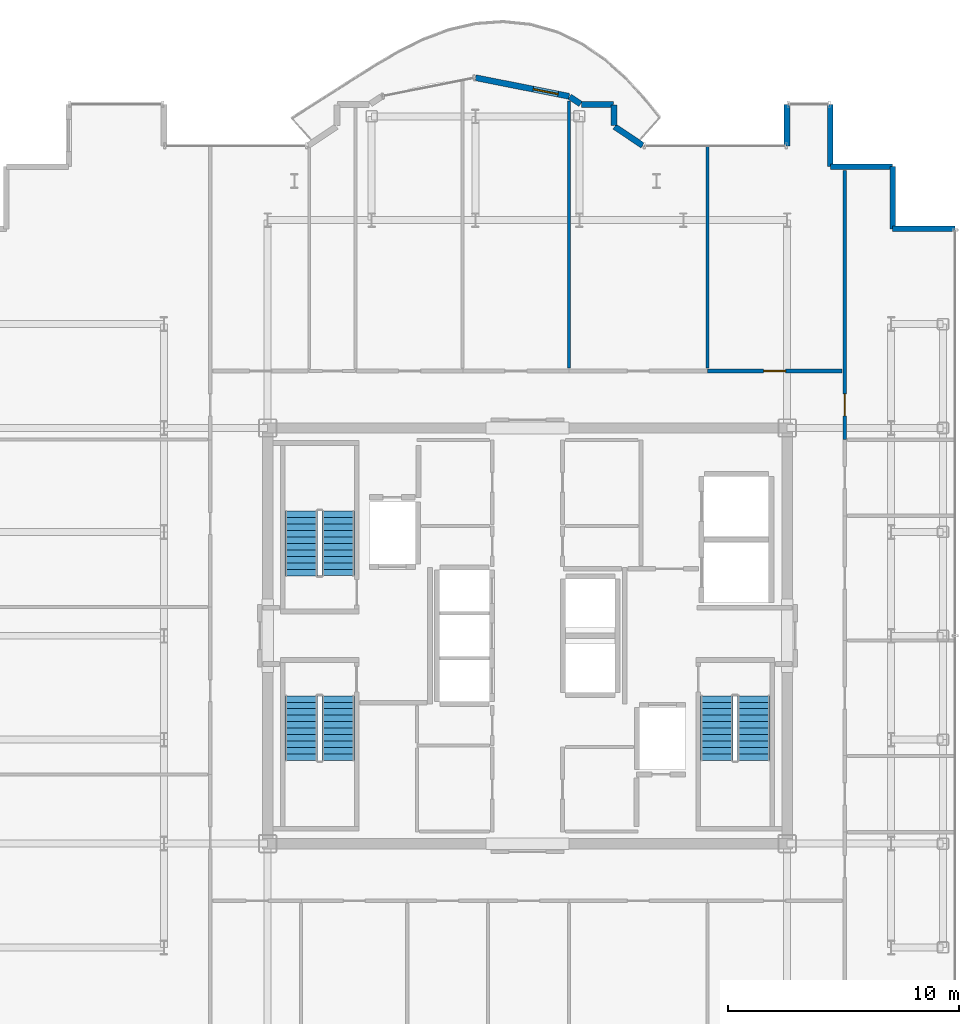
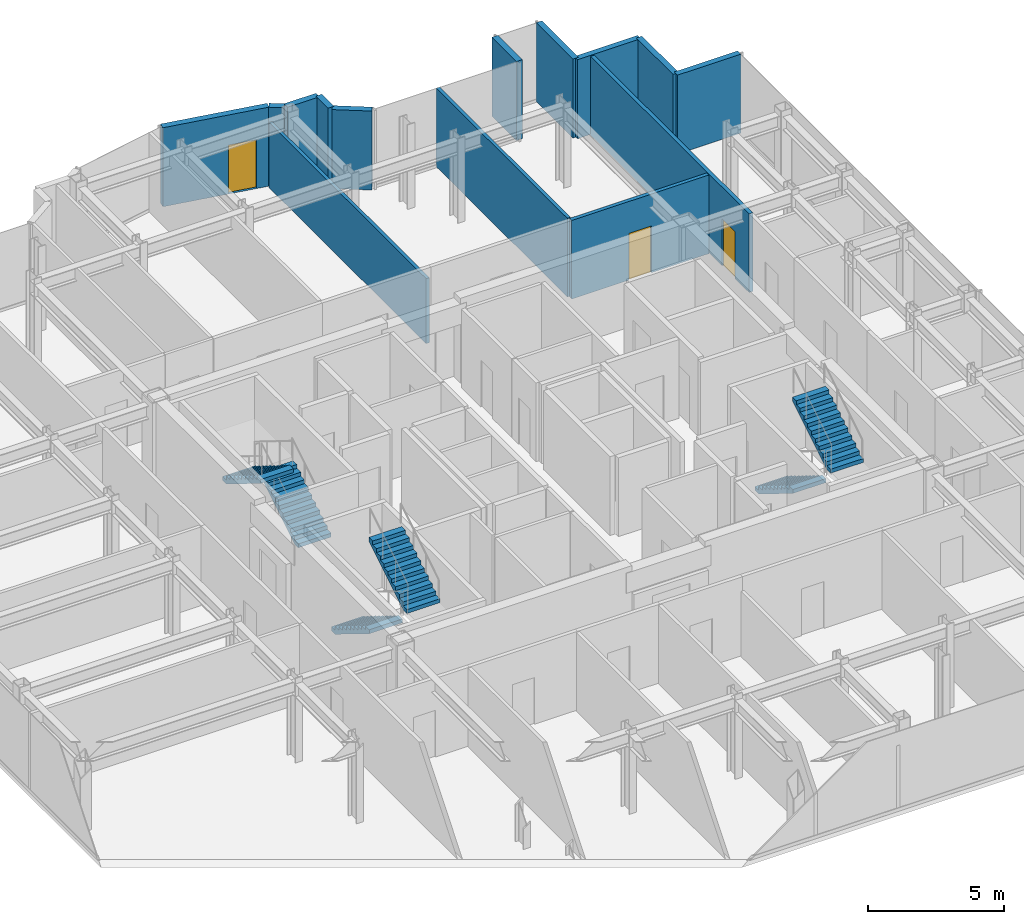
# One storey, part 17 of 18: 14 walls, 6 stair flights, 3 doors, 3 openings, 3 elements without a shape of their own.
"""IFC4 building model written with IfcOpenShell, lengths in metres."""

import ifcopenshell
import ifcopenshell.guid

model = None  # the IFC model being written
_history = None  # IfcOwnerHistory: only IFC2X3 demands one
_inside = {}  # id of a spatial element -> (the spatial element, [elements in it])
_under = {}  # id of a project, library or spatial element -> (it, [spatial elements below it])
_declared = {}  # id of a project -> (the project, [libraries it declares])
_typed = {}  # id of a type object -> (the type object, [elements of that type])
_made_of = {}  # id of a material, layer set ... -> (it, [elements and type objects made of it])


def new_model(schema):
    """Start an empty IFC model of exactly this schema.

    Asked for "IFC4X3", IfcOpenShell would pick the latest addendum, in which some entities
    have other attributes; the version numbers below select the first issue.
    IFC2X3 requires an IfcOwnerHistory on every rooted entity: one is made here for all.
    """
    global model, _history
    if schema == "IFC4X3":
        model = ifcopenshell.file(schema_version=(4, 3, 0, 0))
    else:
        model = ifcopenshell.file(schema=schema)
    _inside.clear()
    _under.clear()
    _declared.clear()
    _typed.clear()
    _made_of.clear()
    _history = None
    if model.schema == "IFC2X3":
        org = make("IfcOrganization", Name="unknown")
        user = make(
            "IfcPersonAndOrganization",
            ThePerson=make("IfcPerson", FamilyName="unknown"),
            TheOrganization=org,
        )
        app = make(
            "IfcApplication",
            ApplicationDeveloper=org,
            Version="unknown",
            ApplicationFullName="unknown",
            ApplicationIdentifier="unknown",
        )
        _history = make(
            "IfcOwnerHistory",
            OwningUser=user,
            OwningApplication=app,
            ChangeAction="ADDED",
            CreationDate=0,
        )
    return model


def make(cls, **values):
    """One entity of the class cls with the attributes given. An attribute that is None is left unset."""
    return model.create_entity(
        cls, **{name: value for name, value in values.items() if value is not None}
    )


def rooted(cls, **values):
    """An entity with a GlobalId (a new one), such as an element, a storey or a relation."""
    return make(cls, GlobalId=ifcopenshell.guid.new(), OwnerHistory=_history, **values)


def si_unit(unit_type, name, prefix=None):
    """IfcSIUnit, for example si_unit("LENGTHUNIT", "METRE", prefix="MILLI")."""
    return make("IfcSIUnit", UnitType=unit_type, Prefix=prefix, Name=name)


def assignment(units):
    """IfcUnitAssignment: the units of a project."""
    return None if units is None else make("IfcUnitAssignment", Units=units)


def point(xyz):
    """IfcCartesianPoint."""
    return None if xyz is None else make("IfcCartesianPoint", Coordinates=xyz)


def direction(xyz):
    """IfcDirection."""
    return None if xyz is None else make("IfcDirection", DirectionRatios=xyz)


def frame(location, z_axis=None, x_axis=None):
    """IfcAxis2Placement3D, a coordinate frame: its origin and axes. An axis left out is left unset."""
    return make(
        "IfcAxis2Placement3D",
        Location=point(location),
        Axis=direction(z_axis),
        RefDirection=direction(x_axis),
    )


def frame_2d(location, x_axis=None):
    """IfcAxis2Placement2D, a coordinate frame in the plane: its origin and x axis."""
    return make(
        "IfcAxis2Placement2D", Location=point(location), RefDirection=direction(x_axis)
    )


def origin():
    """The frame at (0, 0, 0) with its axes left unset."""
    return frame((0.0, 0.0, 0.0))


def place(relative_to, where):
    """IfcLocalPlacement: puts the frame where relative to a parent placement (None: the world)."""
    return make(
        "IfcLocalPlacement", PlacementRelTo=relative_to, RelativePlacement=where
    )


def context(
    kind, dimensions, precision=None, world=None, true_north=None, identifier=None
):
    """IfcGeometricRepresentationContext, for example the 3D "Model" context."""
    return make(
        "IfcGeometricRepresentationContext",
        ContextIdentifier=identifier,
        ContextType=kind,
        CoordinateSpaceDimension=dimensions,
        Precision=precision,
        WorldCoordinateSystem=world,
        TrueNorth=true_north,
    )


def subcontext(parent, identifier, kind, view, scale=None):
    """IfcGeometricRepresentationSubContext, for example "Body" below "Model"."""
    return make(
        "IfcGeometricRepresentationSubContext",
        ContextIdentifier=identifier,
        ContextType=kind,
        ParentContext=parent,
        TargetScale=scale,
        TargetView=view,
    )


def project(units=None, contexts=None):
    """IfcProject with its units and contexts."""
    return rooted(
        "IfcProject",
        Name="project",
        RepresentationContexts=contexts,
        UnitsInContext=assignment(units),
    )


def spatial(cls, under=None, at=None, **own):
    """A site, building, storey or space (cls), placed at a placement, below another one or the project."""
    s = rooted(cls, ObjectPlacement=at, **own)
    if under is not None:
        _under.setdefault(under.id(), (under, []))[1].append(s)
    return s


def polyline(points):
    """IfcPolyline through the points."""
    return make("IfcPolyline", Points=[point(p) for p in points])


def profile(cls, at=None, kind="AREA", **sizes):
    """A parametric profile (cls). Its sizes go by their IFC names, for example OverallWidth=200.0."""
    return make(cls, ProfileType=kind, Position=at, **sizes)


def rectangle(**sizes):
    """IfcRectangleProfileDef."""
    return profile("IfcRectangleProfileDef", **sizes)


def outline(outer, holes=None, kind="AREA"):
    """IfcArbitraryClosedProfileDef: a profile drawn as a closed curve; with holes, ...WithVoids."""
    if holes is None:
        return make("IfcArbitraryClosedProfileDef", ProfileType=kind, OuterCurve=outer)
    return make(
        "IfcArbitraryProfileDefWithVoids",
        ProfileType=kind,
        OuterCurve=outer,
        InnerCurves=holes,
    )


def extrude(swept, where, along, depth):
    """IfcExtrudedAreaSolid: the profile swept, set in the frame where, extruded along a direction by depth."""
    return make(
        "IfcExtrudedAreaSolid",
        SweptArea=swept,
        Position=where,
        ExtrudedDirection=direction(along),
        Depth=depth,
    )


def shape(context_of_items, identifier, shape_type, items):
    """IfcShapeRepresentation: the items that make up one representation, for example the "Body"."""
    return make(
        "IfcShapeRepresentation",
        ContextOfItems=context_of_items,
        RepresentationIdentifier=identifier,
        RepresentationType=shape_type,
        Items=items,
    )


def source(mapping_origin, context_of_items, identifier, shape_type, items):
    """IfcRepresentationMap: a shape defined once, which mapped items show again and again."""
    return make(
        "IfcRepresentationMap",
        MappingOrigin=mapping_origin,
        MappedRepresentation=shape(context_of_items, identifier, shape_type, items),
    )


def transform(
    local_origin,
    x_axis=None,
    y_axis=None,
    z_axis=None,
    scale=None,
    scale2=None,
    scale3=None,
    uniform=True,
):
    """IfcCartesianTransformationOperator3D, or its non-uniform kind. x_axis, y_axis, z_axis: its Axis1, 2, 3."""
    if uniform:
        return make(
            "IfcCartesianTransformationOperator3D",
            Axis1=direction(x_axis),
            Axis2=direction(y_axis),
            LocalOrigin=point(local_origin),
            Scale=scale,
            Axis3=direction(z_axis),
        )
    return make(
        "IfcCartesianTransformationOperator3DnonUniform",
        Axis1=direction(x_axis),
        Axis2=direction(y_axis),
        LocalOrigin=point(local_origin),
        Scale=scale,
        Axis3=direction(z_axis),
        Scale2=scale2,
        Scale3=scale3,
    )


def mapped(mapping_source, mapping_target):
    """IfcMappedItem: shows the shape of a source again, moved by a transform."""
    return make(
        "IfcMappedItem", MappingSource=mapping_source, MappingTarget=mapping_target
    )


def material(Name=None, Category=None):
    """IfcMaterial."""
    return make("IfcMaterial", Name=Name, Category=Category)


def layer(
    of_material, thickness, ventilated=None, Name=None, Category=None, Priority=None
):
    """IfcMaterialLayer: one layer of a wall or slab, of a material (None: an air gap)."""
    return make(
        "IfcMaterialLayer",
        Material=of_material,
        LayerThickness=thickness,
        IsVentilated=ventilated,
        Name=Name,
        Category=Category,
        Priority=Priority,
    )


def layer_set(layers, Name=None):
    """IfcMaterialLayerSet."""
    return make("IfcMaterialLayerSet", MaterialLayers=layers, LayerSetName=Name)


def made_of(thing, what):
    """Note that an element or type object is made of a material, layer set ...; save() writes the relation."""
    if what is not None:
        _made_of.setdefault(what.id(), (what, []))[1].append(thing)
    return thing


def type_object(cls, material=None, **own):
    """A type object (cls), such as IfcWallType, which elements share."""
    return made_of(rooted(cls, **own), material)


def element(
    cls,
    number,
    at=None,
    inside=None,
    cuts=None,
    type_object=None,
    material=None,
    context=None,
    identifier="Body",
    shape_type=None,
    held_by="IfcProductDefinitionShape",
    body=None,
    shapes=None,
    **own,
):
    """One element of the class cls, such as IfcWall. Its Tag is "e" and its number.

    at: its placement. inside: the storey or other place that contains it. cuts: it is an
    opening in that element (IfcRelVoidsElement). A single representation is given by context,
    identifier, shape_type and body (its items); several are given by shapes. held_by: the class
    of the entity that holds the representations. save() writes the other relations.
    """
    e = rooted(cls, Tag="e%d" % number, ObjectPlacement=at, **own)
    if body is not None:
        shapes = [shape(context, identifier, shape_type, body)]
    if shapes is not None:
        e.Representation = make(held_by, Representations=shapes)
    if inside is not None:
        _inside.setdefault(inside.id(), (inside, []))[1].append(e)
    if cuts is not None:
        rooted(
            "IfcRelVoidsElement", RelatingBuildingElement=cuts, RelatedOpeningElement=e
        )
    if type_object is not None:
        _typed.setdefault(type_object.id(), (type_object, []))[1].append(e)
    return made_of(e, material)


def fill(opening, filler):
    """IfcRelFillsElement: the door or window that sits in an opening."""
    return rooted(
        "IfcRelFillsElement",
        RelatingOpeningElement=opening,
        RelatedBuildingElement=filler,
    )


def aggregate(whole, parts):
    """IfcRelAggregates: a whole, such as a stair, and the parts it consists of."""
    return rooted("IfcRelAggregates", RelatingObject=whole, RelatedObjects=parts)


def save(model, path):
    """Write the relations noted so far, then the file.

    IfcRelAggregates (storeys below a building ...), IfcRelContainedInSpatialStructure (elements
    in a storey), IfcRelDefinesByType, IfcRelAssociatesMaterial and IfcRelDeclares: one each for
    every whole, place, type object, material and project.
    """
    for whole, parts in _under.values():
        aggregate(whole, parts)
    for where, things in _inside.values():
        rooted(
            "IfcRelContainedInSpatialStructure",
            RelatedElements=things,
            RelatingStructure=where,
        )
    for kind, things in _typed.values():
        rooted("IfcRelDefinesByType", RelatedObjects=things, RelatingType=kind)
    for what, things in _made_of.values():
        rooted("IfcRelAssociatesMaterial", RelatedObjects=things, RelatingMaterial=what)
    for by, libraries in _declared.values():
        rooted("IfcRelDeclares", RelatingContext=by, RelatedDefinitions=libraries)
    model.write(path)


model = new_model("IFC4")

# Units and contexts
model_context = context("Model", 3, precision=1e-05, world=origin(), true_north=direction((0.0, 1.0)))
body_context = subcontext(model_context, "Body", "Model", "MODEL_VIEW")
ifc_project = project(units=[si_unit("LENGTHUNIT", "METRE"), si_unit("AREAUNIT", "SQUARE_METRE"), si_unit("VOLUMEUNIT", "CUBIC_METRE"), si_unit("PLANEANGLEUNIT", "RADIAN"), si_unit("MASSUNIT", "GRAM", prefix="KILO")], contexts=[model_context])

# Site, building, storey
site_placement = place(None, origin())
site = spatial("IfcSite", under=ifc_project, at=site_placement, CompositionType="ELEMENT")
building_placement = place(site_placement, origin())
building = spatial("IfcBuilding", under=site, at=building_placement, Name="Nefas-Gora Pilgrimage Tower", CompositionType="ELEMENT")
storey_placement = place(building_placement, frame((0.0, 0.0, 295.0)))
storey = spatial("IfcBuildingStorey", under=building, at=storey_placement, Name="L74", CompositionType="ELEMENT", Elevation=295.0)

# Walls
ifc_material_1 = material(Name="Precast concrete C40/50", Category="concrete")
ifc_layer_1 = layer(ifc_material_1, 0.260009765625)
ifc_layer_set_1 = layer_set([ifc_layer_1], Name="Precast concrete C40/50")
wall_type_1 = type_object("IfcWallType", Name="EW-PORTAL-260", PredefinedType="SOLIDWALL", material=ifc_layer_set_1)
shared_shape_1 = source(origin(), body_context, "Body", "SweptSolid", [
    extrude(rectangle(XDim=1.800048828125, YDim=0.260009765625, at=frame_2d((0.89990234375, 0.0))), origin(), (0.0, 0.0, 1.0), 3.550048828125),
])
wall_1_placement = place(storey_placement, frame((11.25, 23.02001953125, 0.0), z_axis=(0.0, 0.0, 1.0), x_axis=(0.0, -1.0, 0.0)))
element("IfcWall", 1, at=wall_1_placement, inside=storey, type_object=wall_type_1, Name="L74 Lobe Shoulder Precast Spandrel Pier 6", PredefinedType="SOLIDWALL", context=body_context, shape_type="MappedRepresentation", body=[
    mapped(shared_shape_1, transform((0.0, 0.0, 0.0), x_axis=(1.0, 0.0, 0.0), y_axis=(0.0, 1.0, 0.0), z_axis=(0.0, 0.0, 1.0), scale=1.0)),
])
ifc_material_2 = material(Name="Precast concrete C45/55", Category="concrete")
ifc_layer_2 = layer(ifc_material_2, 0.239990234375)
ifc_layer_set_2 = layer_set([ifc_layer_2], Name="Precast concrete C45/55")
wall_type_2 = type_object("IfcWallType", Name="EW-SERR-240", PredefinedType="SHEAR", material=ifc_layer_set_2)
shared_shape_2 = source(origin(), body_context, "Body", "SweptSolid", [
    extrude(rectangle(XDim=2.699951171875, YDim=0.239990234375, at=frame_2d((1.35009765625, 0.0))), origin(), (0.0, 0.0, 1.0), 3.550048828125),
])
for number, where, z_axis, x_axis, name in (
    (2, (18.52001953125, 17.6201171875, 0.0), (0.0, 0.0, 1.0), (-1.0, 0.0, 0.0), "L74 Serrated Corner Shear Pier Wall 2"),
    (3, (15.820068359375, 17.6201171875, 0.0), (0.0, 0.0, 1.0), (0.0, 1.0, 0.0), "L74 Serrated Corner Shear Pier Wall 3"),
    (4, (15.820068359375, 20.320068359375, 0.0), (0.0, 0.0, 1.0), (-1.0, 0.0, 0.0), "L74 Serrated Corner Shear Pier Wall 4"),
    (5, (13.1201171875, 20.320068359375, 0.0), (0.0, 0.0, 1.0), (0.0, 1.0, 0.0), "L74 Serrated Corner Shear Pier Wall 5"),
):
    element("IfcWall", number, at=place(storey_placement, frame(where, z_axis=z_axis, x_axis=x_axis)), inside=storey, type_object=wall_type_2, Name=name, PredefinedType="SHEAR", context=body_context, shape_type="MappedRepresentation", body=[
        mapped(shared_shape_2, transform((0.0, 0.0, 0.0), x_axis=(1.0, 0.0, 0.0), y_axis=(0.0, 1.0, 0.0), z_axis=(0.0, 0.0, 1.0), scale=1.0)),
    ])
shared_shape_3 = source(origin(), body_context, "Body", "SweptSolid", [
    extrude(rectangle(XDim=1.468994140625, YDim=0.260009765625, at=frame_2d((0.734375, 0.0))), origin(), (0.0, 0.0, 1.0), 3.550048828125),
])
wall_2_placement = place(storey_placement, frame((4.99462890625, 21.235595703125, 0.0), z_axis=(0.0, 0.0, 1.0), x_axis=(-0.831461760506, 0.555581983884, 0.0)))
element("IfcWall", 6, at=wall_2_placement, inside=storey, type_object=wall_type_1, Name="L74 Lobe Shoulder Precast Spandrel Pier 7", PredefinedType="SOLIDWALL", context=body_context, shape_type="MappedRepresentation", body=[
    mapped(shared_shape_3, transform((0.0, 0.0, 0.0), x_axis=(1.0, 0.0, 0.0), y_axis=(0.0, 1.0, 0.0), z_axis=(0.0, 0.0, 1.0), scale=1.0)),
])
shared_shape_4 = source(origin(), body_context, "Body", "SweptSolid", [
    extrude(rectangle(XDim=0.896728515625, YDim=0.260009765625, at=frame_2d((0.4482421875, 0.0))), origin(), (0.0, 0.0, 1.0), 3.550048828125),
])
wall_3_placement = place(storey_placement, frame((3.75, 22.09521484375, 0.0), z_axis=(0.0, 0.0, 1.0), x_axis=(0.0, 1.0, 0.0)))
element("IfcWall", 7, at=wall_3_placement, inside=storey, type_object=wall_type_1, Name="L74 Lobe Shoulder Precast Spandrel Pier 8", PredefinedType="SOLIDWALL", context=body_context, shape_type="MappedRepresentation", body=[
    mapped(shared_shape_4, transform((0.0, 0.0, 0.0), x_axis=(1.0, 0.0, 0.0), y_axis=(0.0, 1.0, 0.0), z_axis=(0.0, 0.0, 1.0), scale=1.0)),
])
shared_shape_5 = source(origin(), body_context, "Body", "SweptSolid", [
    extrude(rectangle(XDim=1.369873046875, YDim=0.260009765625, at=frame_2d((0.68505859375, 0.0))), origin(), (0.0, 0.0, 1.0), 3.550048828125),
])
wall_4_placement = place(storey_placement, frame((3.721923828125, 23.02001953125, 0.0), z_axis=(0.0, 0.0, 1.0), x_axis=(-1.0, 0.0, 0.0)))
element("IfcWall", 8, at=wall_4_placement, inside=storey, type_object=wall_type_1, Name="L74 Lobe Shoulder Precast Spandrel Pier 9", PredefinedType="SOLIDWALL", context=body_context, shape_type="MappedRepresentation", body=[
    mapped(shared_shape_5, transform((0.0, 0.0, 0.0), x_axis=(1.0, 0.0, 0.0), y_axis=(0.0, 1.0, 0.0), z_axis=(0.0, 0.0, 1.0), scale=1.0)),
])
shared_shape_6 = source(origin(), body_context, "Body", "SweptSolid", [
    extrude(rectangle(XDim=0.5654296875, YDim=0.260009765625, at=frame_2d((0.28271484375, 0.0))), origin(), (0.0, 0.0, 1.0), 3.550048828125),
])
wall_5_placement = place(storey_placement, frame((2.30078125, 23.03564453125, 0.0), z_axis=(0.0, 0.0, 1.0), x_axis=(-0.831651492666, 0.555297933317, 0.0)))
element("IfcWall", 9, at=wall_5_placement, inside=storey, type_object=wall_type_1, Name="L74 Lobe Shoulder Precast Spandrel Pier 10", PredefinedType="SOLIDWALL", context=body_context, shape_type="MappedRepresentation", body=[
    mapped(shared_shape_6, transform((0.0, 0.0, 0.0), x_axis=(1.0, 0.0, 0.0), y_axis=(0.0, 1.0, 0.0), z_axis=(0.0, 0.0, 1.0), scale=1.0)),
])

# Wall, opening, door
shared_shape_7 = source(origin(), body_context, "Body", "SweptSolid", [
    extrude(rectangle(XDim=4.136962890625, YDim=0.260009765625, at=frame_2d((2.068359375, 0.0))), origin(), (0.0, 0.0, 1.0), 3.550048828125),
])
wall_6_placement = place(storey_placement, frame((1.807373046875, 23.365234375, 0.0), z_axis=(0.0, 0.0, 1.0), x_axis=(-0.980782170794, 0.195105954428, 0.0)))
wall_6 = element("IfcWall", 10, at=wall_6_placement, inside=storey, type_object=wall_type_1, Name="L74 Insulated Terrace Portal Wall 11", PredefinedType="SOLIDWALL", context=body_context, shape_type="MappedRepresentation", body=[
    mapped(shared_shape_7, transform((0.0, 0.0, 0.0), x_axis=(1.0, 0.0, 0.0), y_axis=(0.0, 1.0, 0.0), z_axis=(0.0, 0.0, 1.0), scale=1.0)),
])
opening_1_placement = place(wall_6_placement, frame((0.48779296875, 0.0, 0.0)))
opening_1 = element("IfcOpeningElement", 11, at=opening_1_placement, cuts=wall_6, Name="Opening ED-B1", PredefinedType="OPENING", context=body_context, shape_type="SweptSolid", body=[
    extrude(rectangle(XDim=1.10009765625, YDim=2.199951171875, at=frame_2d((0.550048828125, 1.10009765625))), frame((0.0, 0.139892578125, 0.0), z_axis=(0.0, -1.0, 0.0), x_axis=(1.0, 0.0, 0.0)), (0.0, 0.0, 1.0), 0.280029296875),
])
ifc_material_3 = material(Name="Thermally broken glazed aluminium balcony door", Category="aluminium")
door_type_1 = type_object("IfcDoorType", Name="DR-EXT-BAL-1100", OperationType="NOTDEFINED", PredefinedType="DOOR", material=ifc_material_3)
shared_shape_8 = source(origin(), body_context, "Body", "SweptSolid", [
    extrude(rectangle(XDim=1.10009765625, YDim=2.199951171875, at=frame_2d((0.550048828125, 1.10009765625))), frame((0.0, 0.02490234375, 0.0), z_axis=(0.0, -1.0, 0.0), x_axis=(1.0, 0.0, 0.0)), (0.0, 0.0, 1.0), 0.050048828125),
])
door_1_placement = place(opening_1_placement, origin())
door_1 = element("IfcDoor", 12, at=door_1_placement, inside=storey, type_object=door_type_1, Name="L74 Exterior Door (L74 N Lobe Wave Balcony)", OperationType="SINGLE_SWING_LEFT", OverallHeight=2.199951171875, OverallWidth=1.10009765625, PredefinedType="DOOR", context=body_context, shape_type="MappedRepresentation", body=[
    mapped(shared_shape_8, transform((0.0, 0.0, 0.0), x_axis=(1.0, 0.0, 0.0), y_axis=(0.0, 1.0, 0.0), z_axis=(0.0, 0.0, 1.0), scale=1.0)),
])
fill(opening_1, door_1)

# Wall
ifc_material_4 = material(Name="Gypsum twin-stud partition")
ifc_layer_3 = layer(ifc_material_4, 0.139892578125)
ifc_layer_set_3 = layer_set([ifc_layer_3], Name="Gypsum twin-stud partition")
wall_type_3 = type_object("IfcWallType", Name="IW-UNIT-140", PredefinedType="PARTITIONING", material=ifc_layer_set_3)
shared_shape_9 = source(origin(), body_context, "Body", "SweptSolid", [
    extrude(rectangle(XDim=9.64990234375, YDim=0.139892578125, at=frame_2d((4.824951171875, 0.0))), origin(), (0.0, 0.0, 1.0), 3.534912109375),
])
wall_7_placement = place(storey_placement, frame((7.794921875, 11.590087890625, 0.0), z_axis=(0.0, 0.0, 1.0), x_axis=(0.0, 1.0, 0.0)))
element("IfcWall", 13, at=wall_7_placement, inside=storey, type_object=wall_type_3, Name="L74 Pilgrim Contemplative Lounge Partition Wall 63", PredefinedType="PARTITIONING", context=body_context, shape_type="MappedRepresentation", body=[
    mapped(shared_shape_9, transform((0.0, 0.0, 0.0), x_axis=(1.0, 0.0, 0.0), y_axis=(0.0, 1.0, 0.0), z_axis=(0.0, 0.0, 1.0), scale=1.0)),
])

# Wall, opening, door
ifc_material_5 = material(Name="Gypsum acoustic stud partition")
ifc_layer_4 = layer(ifc_material_5, 0.159912109375)
ifc_layer_set_4 = layer_set([ifc_layer_4], Name="Gypsum acoustic stud partition")
wall_type_4 = type_object("IfcWallType", Name="IW-CORR-160", PredefinedType="PARTITIONING", material=ifc_layer_set_4)
shared_shape_10 = source(origin(), body_context, "Body", "SweptSolid", [
    extrude(rectangle(XDim=5.8251953125, YDim=0.159912109375, at=frame_2d((2.91259765625, 0.0))), origin(), (0.0, 0.0, 1.0), 3.534912109375),
])
wall_8_placement = place(storey_placement, frame((7.794921875, 11.469970703125, 0.0), z_axis=(0.0, 0.0, 1.0), x_axis=(1.0, 0.0, 0.0)))
wall_8 = element("IfcWall", 14, at=wall_8_placement, inside=storey, type_object=wall_type_4, Name="L74 Pilgrim Contemplative Lounge Partition Wall 64", PredefinedType="PARTITIONING", context=body_context, shape_type="MappedRepresentation", body=[
    mapped(shared_shape_10, transform((0.0, 0.0, 0.0), x_axis=(1.0, 0.0, 0.0), y_axis=(0.0, 1.0, 0.0), z_axis=(0.0, 0.0, 1.0), scale=1.0)),
])
opening_2_placement = place(wall_8_placement, frame((2.4375, 0.0, 0.0)))
opening_2 = element("IfcOpeningElement", 15, at=opening_2_placement, cuts=wall_8, Name="Opening ID-GR1", PredefinedType="OPENING", context=body_context, shape_type="SweptSolid", body=[
    extrude(rectangle(XDim=0.949951171875, YDim=2.10009765625, at=frame_2d((0.47509765625, 1.050048828125))), frame((0.0, 0.08984375, 0.0), z_axis=(0.0, -1.0, 0.0), x_axis=(1.0, 0.0, 0.0)), (0.0, 0.0, 1.0), 0.179931640625),
])
ifc_material_6 = material(Name="Solid core oak fire-rated guest entrance door")
door_type_2 = type_object("IfcDoorType", Name="DR-INT-GUEST-950", OperationType="NOTDEFINED", PredefinedType="DOOR", material=ifc_material_6)
shared_shape_11 = source(origin(), body_context, "Body", "SweptSolid", [
    extrude(rectangle(XDim=0.949951171875, YDim=2.10009765625, at=frame_2d((0.47509765625, 1.050048828125))), frame((0.0, 0.02490234375, 0.0), z_axis=(0.0, -1.0, 0.0), x_axis=(1.0, 0.0, 0.0)), (0.0, 0.0, 1.0), 0.050048828125),
])
door_2_placement = place(opening_2_placement, origin())
door_2 = element("IfcDoor", 16, at=door_2_placement, inside=storey, type_object=door_type_2, Name="L74 Pilgrim Contemplative Lounge Door 30", OperationType="SINGLE_SWING_RIGHT", OverallHeight=2.10009765625, OverallWidth=0.949951171875, PredefinedType="DOOR", context=body_context, shape_type="MappedRepresentation", body=[
    mapped(shared_shape_11, transform((0.0, 0.0, 0.0), x_axis=(1.0, 0.0, 0.0), y_axis=(0.0, 1.0, 0.0), z_axis=(0.0, 0.0, 1.0), scale=1.0)),
])
fill(opening_2, door_2)

shared_shape_12 = source(origin(), body_context, "Body", "SweptSolid", [
    extrude(rectangle(XDim=11.664794921875, YDim=0.159912109375, at=frame_2d((5.83251953125, 0.0))), origin(), (0.0, 0.0, 1.0), 3.534912109375),
])
wall_9_placement = place(storey_placement, frame((13.739990234375, 8.4951171875, 0.0), z_axis=(0.0, 0.0, 1.0), x_axis=(0.0, 1.0, 0.0)))
wall_9 = element("IfcWall", 17, at=wall_9_placement, inside=storey, type_object=wall_type_4, Name="L74 Pilgrim Contemplative Lounge Partition Wall 56", PredefinedType="PARTITIONING", context=body_context, shape_type="MappedRepresentation", body=[
    mapped(shared_shape_12, transform((0.0, 0.0, 0.0), x_axis=(1.0, 0.0, 0.0), y_axis=(0.0, 1.0, 0.0), z_axis=(0.0, 0.0, 1.0), scale=1.0)),
])
opening_3_placement = place(wall_9_placement, frame((1.032470703125, 0.0, 0.0)))
opening_3 = element("IfcOpeningElement", 18, at=opening_3_placement, cuts=wall_9, Name="Opening ID-GR1", PredefinedType="OPENING", context=body_context, shape_type="SweptSolid", body=[
    extrude(rectangle(XDim=0.949951171875, YDim=2.10009765625, at=frame_2d((0.47509765625, 1.050048828125))), frame((0.0, 0.08984375, 0.0), z_axis=(0.0, -1.0, 0.0), x_axis=(1.0, 0.0, 0.0)), (0.0, 0.0, 1.0), 0.179931640625),
])
door_3_placement = place(opening_3_placement, origin())
door_3 = element("IfcDoor", 19, at=door_3_placement, inside=storey, type_object=door_type_2, Name="L74 Pilgrim Contemplative Lounge Door 25", OperationType="SINGLE_SWING_LEFT", OverallHeight=2.10009765625, OverallWidth=0.949951171875, PredefinedType="DOOR", context=body_context, shape_type="MappedRepresentation", body=[
    mapped(shared_shape_11, transform((0.0, 0.0, 0.0), x_axis=(1.0, 0.0, 0.0), y_axis=(0.0, 1.0, 0.0), z_axis=(0.0, 0.0, 1.0), scale=1.0)),
])
fill(opening_3, door_3)

# Wall
shared_shape_13 = source(origin(), body_context, "Body", "SweptSolid", [
    extrude(rectangle(XDim=11.581298828125, YDim=0.139892578125, at=frame_2d((5.79052734375, 0.0))), origin(), (0.0, 0.0, 1.0), 2.925048828125),
])
wall_10_placement = place(storey_placement, frame((1.794921875, 11.590087890625, 0.0), z_axis=(0.0, 0.0, 1.0), x_axis=(0.0, 1.0, 0.0)))
element("IfcWall", 20, at=wall_10_placement, inside=storey, type_object=wall_type_3, Name="L74 Pilgrim Contemplative Lounge Partition Wall 61", PredefinedType="PARTITIONING", context=body_context, shape_type="MappedRepresentation", body=[
    mapped(shared_shape_13, transform((0.0, 0.0, 0.0), x_axis=(1.0, 0.0, 0.0), y_axis=(0.0, 1.0, 0.0), z_axis=(0.0, 0.0, 1.0), scale=1.0)),
])

# Stair, stair flights
ifc_material_7 = material(Name="Concrete C45/55", Category="concrete")
stair_type = type_object("IfcStairType", Name="STR-1400-R1727", PredefinedType="HALF_TURN_STAIR", material=ifc_material_7)
stair_1_placement = place(storey_placement, origin())
stair_1 = element("IfcStair", 21, at=stair_1_placement, inside=storey, type_object=stair_type, Name="L74 Pressurised Tower Exit Stair ST-01", PredefinedType="HALF_TURN_STAIR")
stair_flight_type = type_object("IfcStairFlightType", Name="STF-1400-R1727", PredefinedType="STRAIGHT", material=ifc_material_7)
shared_shape_14 = source(origin(), body_context, "Body", "SweptSolid", [
    extrude(outline(polyline([(0.0, 0.0), (0.0, 0.172607421875), (0.280029296875, 0.172607421875), (0.280029296875, 0.345458984375), (0.56005859375, 0.345458984375), (0.56005859375, 0.51806640625), (0.840087890625, 0.51806640625), (0.840087890625, 0.69091796875), (1.1201171875, 0.69091796875), (1.1201171875, 0.863525390625), (1.39990234375, 0.863525390625), (1.39990234375, 1.036376953125), (1.679931640625, 1.036376953125), (1.679931640625, 1.208984375), (1.9599609375, 1.208984375), (1.9599609375, 1.3818359375), (2.239990234375, 1.3818359375), (2.239990234375, 1.554443359375), (2.52001953125, 1.554443359375), (2.52001953125, 1.727294921875), (2.800048828125, 1.727294921875), (2.800048828125, 1.89990234375), (2.800048828125, 1.551025390625), (0.285400390625, 0.0), (0.0, 0.0)])), frame((0.0, 0.699951171875, 0.0), z_axis=(0.0, -1.0, 0.0), x_axis=(1.0, 0.0, 0.0)), (0.0, 0.0, 1.0), 1.39990234375),
])
stair_flight_1_placement = place(storey_placement, frame((-8.199951171875, 2.60009765625, 0.0), z_axis=(0.0, 0.0, 1.0), x_axis=(0.0, 1.0, 0.0)))
stair_flight_1 = element("IfcStairFlight", 22, at=stair_flight_1_placement, type_object=stair_flight_type, Name="ST-01 flight 1", NumberOfRisers=11, NumberOfTreads=10, PredefinedType="STRAIGHT", RiserHeight=0.172727273, TreadLength=0.28, context=body_context, shape_type="MappedRepresentation", body=[
    mapped(shared_shape_14, transform((0.0, 0.0, 0.0), x_axis=(1.0, 0.0, 0.0), y_axis=(0.0, 1.0, 0.0), z_axis=(0.0, 0.0, 1.0), scale=1.0)),
])
stair_flight_2_placement = place(storey_placement, frame((-9.800048828125, 5.39990234375, 1.89990234375), z_axis=(0.0, 0.0, 1.0), x_axis=(0.0, -1.0, 0.0)))
stair_flight_2 = element("IfcStairFlight", 23, at=stair_flight_2_placement, type_object=stair_flight_type, Name="ST-01 flight 2", NumberOfRisers=11, NumberOfTreads=10, PredefinedType="STRAIGHT", RiserHeight=0.172727273, TreadLength=0.28, context=body_context, shape_type="MappedRepresentation", body=[
    mapped(shared_shape_14, transform((0.0, 0.0, 0.0), x_axis=(1.0, 0.0, 0.0), y_axis=(0.0, 1.0, 0.0), z_axis=(0.0, 0.0, 1.0), scale=1.0)),
])
aggregate(stair_1, [stair_flight_1, stair_flight_2])

stair_2_placement = place(storey_placement, origin())
stair_2 = element("IfcStair", 24, at=stair_2_placement, inside=storey, type_object=stair_type, Name="L74 Pressurised Tower Exit Stair ST-02", PredefinedType="HALF_TURN_STAIR")
stair_flight_3_placement = place(storey_placement, frame((8.199951171875, -2.60009765625, 0.0), z_axis=(0.0, 0.0, 1.0), x_axis=(0.0, -1.0, 0.0)))
stair_flight_3 = element("IfcStairFlight", 25, at=stair_flight_3_placement, type_object=stair_flight_type, Name="ST-02 flight 1", NumberOfRisers=11, NumberOfTreads=10, PredefinedType="STRAIGHT", RiserHeight=0.172727273, TreadLength=0.28, context=body_context, shape_type="MappedRepresentation", body=[
    mapped(shared_shape_14, transform((0.0, 0.0, 0.0), x_axis=(1.0, 0.0, 0.0), y_axis=(0.0, 1.0, 0.0), z_axis=(0.0, 0.0, 1.0), scale=1.0)),
])
stair_flight_4_placement = place(storey_placement, frame((9.800048828125, -5.39990234375, 1.89990234375), z_axis=(0.0, 0.0, 1.0), x_axis=(0.0, 1.0, 0.0)))
stair_flight_4 = element("IfcStairFlight", 26, at=stair_flight_4_placement, type_object=stair_flight_type, Name="ST-02 flight 2", NumberOfRisers=11, NumberOfTreads=10, PredefinedType="STRAIGHT", RiserHeight=0.172727273, TreadLength=0.28, context=body_context, shape_type="MappedRepresentation", body=[
    mapped(shared_shape_14, transform((0.0, 0.0, 0.0), x_axis=(1.0, 0.0, 0.0), y_axis=(0.0, 1.0, 0.0), z_axis=(0.0, 0.0, 1.0), scale=1.0)),
])
aggregate(stair_2, [stair_flight_3, stair_flight_4])

stair_3_placement = place(storey_placement, origin())
stair_3 = element("IfcStair", 27, at=stair_3_placement, inside=storey, type_object=stair_type, Name="L74 Pressurised Tower Exit Stair ST-03", PredefinedType="HALF_TURN_STAIR")
stair_flight_5_placement = place(storey_placement, frame((-9.800048828125, -2.60009765625, 0.0), z_axis=(0.0, 0.0, 1.0), x_axis=(0.0, -1.0, 0.0)))
stair_flight_5 = element("IfcStairFlight", 28, at=stair_flight_5_placement, type_object=stair_flight_type, Name="ST-03 flight 1", NumberOfRisers=11, NumberOfTreads=10, PredefinedType="STRAIGHT", RiserHeight=0.172727273, TreadLength=0.28, context=body_context, shape_type="MappedRepresentation", body=[
    mapped(shared_shape_14, transform((0.0, 0.0, 0.0), x_axis=(1.0, 0.0, 0.0), y_axis=(0.0, 1.0, 0.0), z_axis=(0.0, 0.0, 1.0), scale=1.0)),
])
stair_flight_6_placement = place(storey_placement, frame((-8.199951171875, -5.39990234375, 1.89990234375), z_axis=(0.0, 0.0, 1.0), x_axis=(0.0, 1.0, 0.0)))
stair_flight_6 = element("IfcStairFlight", 29, at=stair_flight_6_placement, type_object=stair_flight_type, Name="ST-03 flight 2", NumberOfRisers=11, NumberOfTreads=10, PredefinedType="STRAIGHT", RiserHeight=0.172727273, TreadLength=0.28, context=body_context, shape_type="MappedRepresentation", body=[
    mapped(shared_shape_14, transform((0.0, 0.0, 0.0), x_axis=(1.0, 0.0, 0.0), y_axis=(0.0, 1.0, 0.0), z_axis=(0.0, 0.0, 1.0), scale=1.0)),
])
aggregate(stair_3, [stair_flight_5, stair_flight_6])

save(model, "model.ifc")
